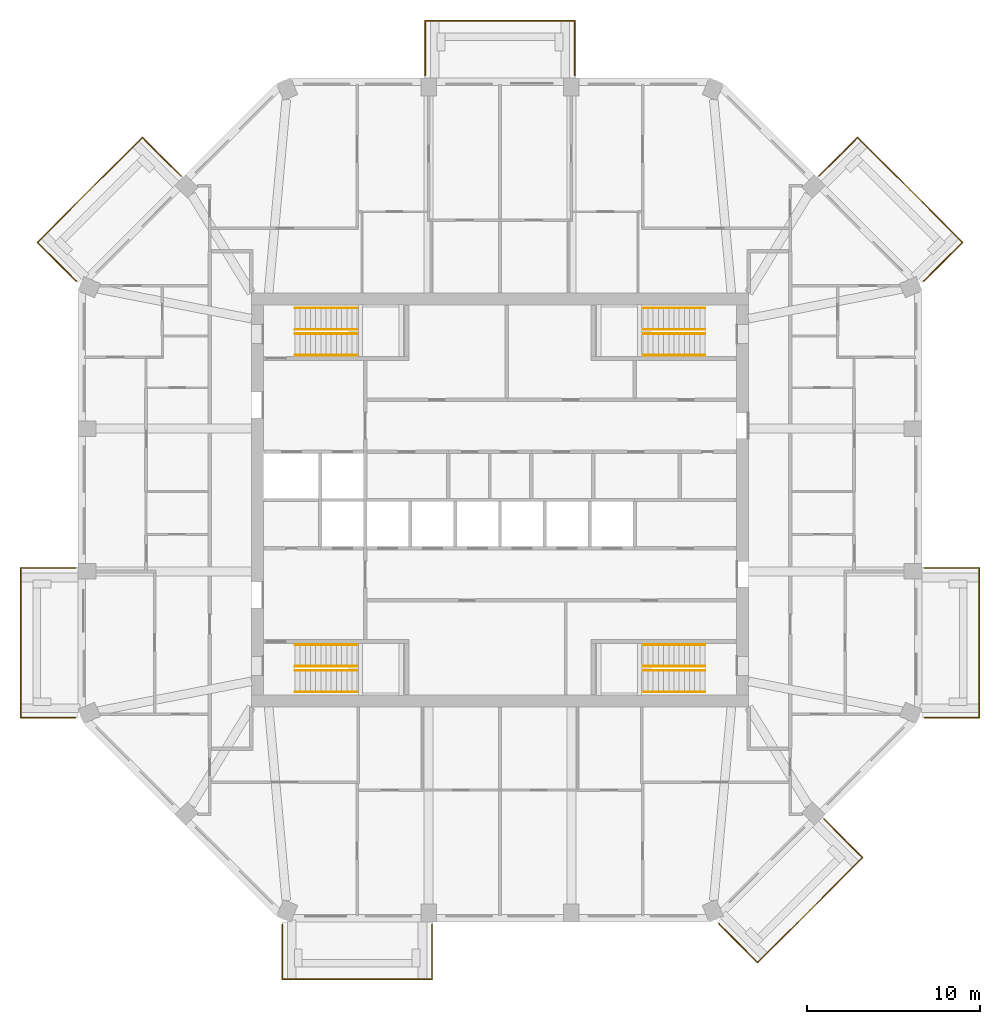
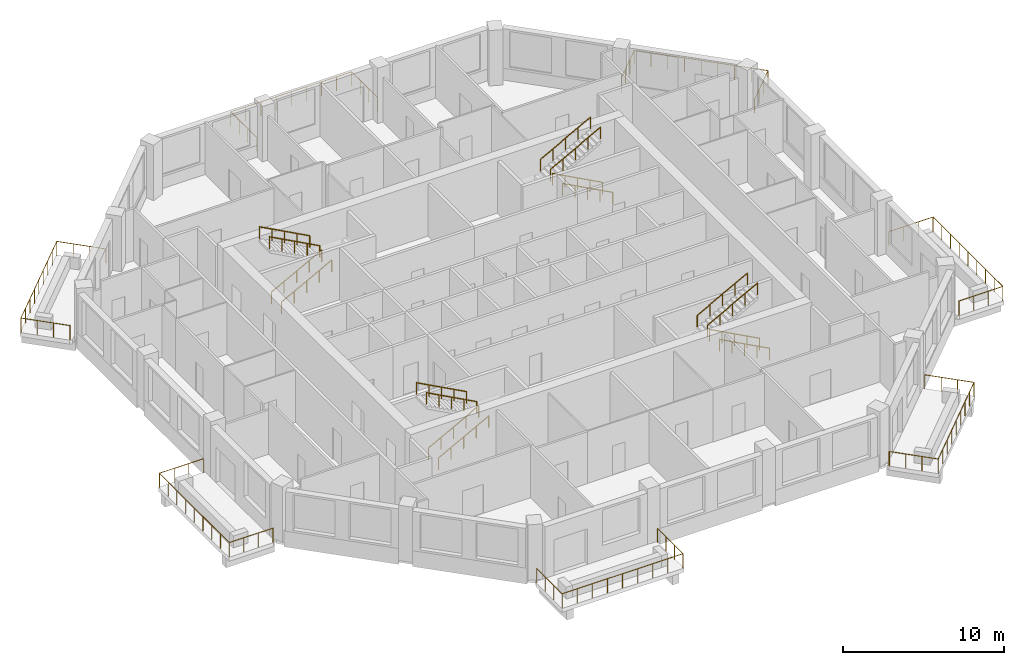
# One storey, part 10 of 10: 23 railings.
"""IFC4 building model written with IfcOpenShell, lengths in metres."""

from ifc_helpers import new_model, si_unit, direction, frame, origin, origin_2d, place, context, subcontext, project, spatial, circle, extrude, material, constituent, constituent_set, type_object, element, save


model = new_model("IFC4")

# Units and contexts
model_context = context("Model", 3, precision=1e-05, world=origin(), true_north=direction((0.0, 1.0)))
body_context = subcontext(model_context, "Body", "Model", "MODEL_VIEW")
ifc_project = project(units=[si_unit("LENGTHUNIT", "METRE"), si_unit("AREAUNIT", "SQUARE_METRE"), si_unit("VOLUMEUNIT", "CUBIC_METRE"), si_unit("PLANEANGLEUNIT", "RADIAN"), si_unit("MASSUNIT", "GRAM", prefix="KILO")], contexts=[model_context])

# Site, building, storey
site_placement = place(None, origin())
site = spatial("IfcSite", under=ifc_project, at=site_placement, CompositionType="ELEMENT")
building_placement = place(site_placement, origin())
building = spatial("IfcBuilding", under=site, at=building_placement, Name="Msitu Wima Residences", CompositionType="ELEMENT")
storey_placement = place(building_placement, frame((0.0, 0.0, 187.5)))
storey = spatial("IfcBuildingStorey", under=building, at=storey_placement, Name="L43", CompositionType="ELEMENT", Elevation=187.5)

# Railings
ifc_material_1 = material(Name="Steel S355", Category="steel")
ifc_constituent_1 = constituent(ifc_material_1, Name="Steel S355")
ifc_material_2 = material(Name="Weathering patina")
ifc_constituent_2 = constituent(ifc_material_2, Name="Weathering patina")
ifc_constituent_set_1 = constituent_set(constituents=[ifc_constituent_1, ifc_constituent_2], Name="Steel S355")
railing_type_1 = type_object("IfcRailingType", Name="Balcony guard GR1100", PredefinedType="GUARDRAIL", material=ifc_constituent_set_1)
railing_1_placement = place(storey_placement, frame((24.580078125, -3.937255859375, 0.0)))
element("IfcRailing", 1, at=railing_1_placement, inside=storey, type_object=railing_type_1, Name="Balcony guard E0 L43", PredefinedType="GUARDRAIL", context=body_context, shape_type="SweptSolid", body=[
    extrude(circle(Radius=0.02392578125, at=origin_2d()), frame((0.0, 0.0, 1.076171875), z_axis=(1.0, 0.0, 0.0), x_axis=(0.0, 1.0, 0.0)), (0.0, 0.0, 1.0), 3.169921875),
    extrude(circle(Radius=0.02392578125, at=origin_2d()), frame((3.169921875, 0.0, 1.076171875), z_axis=(0.0, -1.0, 0.0), x_axis=(1.0, 0.0, 0.0)), (0.0, 0.0, 1.0), 8.674560546875),
    extrude(circle(Radius=0.02392578125, at=origin_2d()), frame((3.169921875, -8.674560546875, 1.076171875), z_axis=(-1.0, 0.0, 0.0), x_axis=(0.0, -1.0, 0.0)), (0.0, 0.0, 1.0), 3.136474609375),
    extrude(circle(Radius=0.02392578125, at=origin_2d()), frame((0.033447265625, -8.674560546875, 1.076171875), z_axis=(-0.923276184907, 0.384136806859, 0.0), x_axis=(-0.384136806859, -0.923276184907, 0.0)), (0.0, 0.0, 1.0), 0.0361328125),
    extrude(circle(Radius=0.02099609375, at=origin_2d()), origin(), (0.0, 0.0, 1.0), 1.052001953125),
    extrude(circle(Radius=0.02099609375, at=origin_2d()), frame((1.056640625, 0.0, 0.0)), (0.0, 0.0, 1.0), 1.052001953125),
    extrude(circle(Radius=0.02099609375, at=origin_2d()), frame((2.11328125, 0.0, 0.0)), (0.0, 0.0, 1.0), 1.052001953125),
    extrude(circle(Radius=0.02099609375, at=origin_2d()), frame((3.169921875, 0.0, 0.0)), (0.0, 0.0, 1.0), 1.052001953125),
    extrude(circle(Radius=0.02099609375, at=origin_2d()), frame((3.169921875, -1.084228515625, 0.0)), (0.0, 0.0, 1.0), 1.052001953125),
    extrude(circle(Radius=0.02099609375, at=origin_2d()), frame((3.169921875, -2.168701171875, 0.0)), (0.0, 0.0, 1.0), 1.052001953125),
    extrude(circle(Radius=0.02099609375, at=origin_2d()), frame((3.169921875, -3.2529296875, 0.0)), (0.0, 0.0, 1.0), 1.052001953125),
    extrude(circle(Radius=0.02099609375, at=origin_2d()), frame((3.169921875, -4.33740234375, 0.0)), (0.0, 0.0, 1.0), 1.052001953125),
    extrude(circle(Radius=0.02099609375, at=origin_2d()), frame((3.169921875, -5.421630859375, 0.0)), (0.0, 0.0, 1.0), 1.052001953125),
    extrude(circle(Radius=0.02099609375, at=origin_2d()), frame((3.169921875, -6.505859375, 0.0)), (0.0, 0.0, 1.0), 1.052001953125),
    extrude(circle(Radius=0.02099609375, at=origin_2d()), frame((3.169921875, -7.59033203125, 0.0)), (0.0, 0.0, 1.0), 1.052001953125),
    extrude(circle(Radius=0.02099609375, at=origin_2d()), frame((3.169921875, -8.674560546875, 0.0)), (0.0, 0.0, 1.0), 1.052001953125),
    extrude(circle(Radius=0.02099609375, at=origin_2d()), frame((2.12451171875, -8.674560546875, 0.0)), (0.0, 0.0, 1.0), 1.052001953125),
    extrude(circle(Radius=0.02099609375, at=origin_2d()), frame((1.078857421875, -8.674560546875, 0.0)), (0.0, 0.0, 1.0), 1.052001953125),
    extrude(circle(Radius=0.02099609375, at=origin_2d()), frame((0.033447265625, -8.674560546875, 0.0)), (0.0, 0.0, 1.0), 1.052001953125),
    extrude(circle(Radius=0.02099609375, at=origin_2d()), frame((0.0, -8.66064453125, 0.0)), (0.0, 0.0, 1.0), 1.052001953125),
])
railing_2_placement = place(storey_placement, frame((18.474609375, 18.75732421875, 0.0)))
element("IfcRailing", 2, at=railing_2_placement, inside=storey, type_object=railing_type_1, Name="Balcony guard NE0 L43", PredefinedType="GUARDRAIL", context=body_context, shape_type="SweptSolid", body=[
    extrude(circle(Radius=0.02392578125, at=origin_2d()), frame((0.0, 0.0, 1.076171875), z_axis=(0.707068272989, 0.707145287287, 0.0), x_axis=(-0.707145287287, 0.707068272989, 0.0)), (0.0, 0.0, 1.0), 3.170166015625),
    extrude(circle(Radius=0.02392578125, at=origin_2d()), frame((2.241455078125, 2.24169921875, 1.076171875), z_axis=(0.707106781187, -0.707106781187, 0.0), x_axis=(0.707106781187, 0.707106781187, 0.0)), (0.0, 0.0, 1.0), 8.593994140625),
    extrude(circle(Radius=0.02392578125, at=origin_2d()), frame((8.318359375, -3.835205078125, 1.076171875), z_axis=(-0.707067861805, -0.707145698426, 0.0), x_axis=(0.707145698426, -0.707067861805, 0.0)), (0.0, 0.0, 1.0), 3.136474609375),
    extrude(circle(Radius=0.02392578125, at=origin_2d()), frame((6.1005859375, -6.05322265625, 1.076171875), z_axis=(-0.923276184907, -0.384136806859, 0.0), x_axis=(0.384136806859, -0.923276184907, 0.0)), (0.0, 0.0, 1.0), 0.0361328125),
    extrude(circle(Radius=0.02099609375, at=origin_2d()), origin(), (0.0, 0.0, 1.0), 1.052001953125),
    extrude(circle(Radius=0.02099609375, at=origin_2d()), frame((0.7470703125, 0.747314453125, 0.0)), (0.0, 0.0, 1.0), 1.052001953125),
    extrude(circle(Radius=0.02099609375, at=origin_2d()), frame((1.494384765625, 1.494384765625, 0.0)), (0.0, 0.0, 1.0), 1.052001953125),
    extrude(circle(Radius=0.02099609375, at=origin_2d()), frame((2.241455078125, 2.24169921875, 0.0)), (0.0, 0.0, 1.0), 1.052001953125),
    extrude(circle(Radius=0.02099609375, at=origin_2d()), frame((3.0009765625, 1.482177734375, 0.0)), (0.0, 0.0, 1.0), 1.052001953125),
    extrude(circle(Radius=0.02099609375, at=origin_2d()), frame((3.7607421875, 0.722412109375, 0.0)), (0.0, 0.0, 1.0), 1.052001953125),
    extrude(circle(Radius=0.02099609375, at=origin_2d()), frame((4.520263671875, -0.037109375, 0.0)), (0.0, 0.0, 1.0), 1.052001953125),
    extrude(circle(Radius=0.02099609375, at=origin_2d()), frame((5.27978515625, -0.796875, 0.0)), (0.0, 0.0, 1.0), 1.052001953125),
    extrude(circle(Radius=0.02099609375, at=origin_2d()), frame((6.03955078125, -1.556396484375, 0.0)), (0.0, 0.0, 1.0), 1.052001953125),
    extrude(circle(Radius=0.02099609375, at=origin_2d()), frame((6.799072265625, -2.31591796875, 0.0)), (0.0, 0.0, 1.0), 1.052001953125),
    extrude(circle(Radius=0.02099609375, at=origin_2d()), frame((7.558837890625, -3.07568359375, 0.0)), (0.0, 0.0, 1.0), 1.052001953125),
    extrude(circle(Radius=0.02099609375, at=origin_2d()), frame((8.318359375, -3.835205078125, 0.0)), (0.0, 0.0, 1.0), 1.052001953125),
    extrude(circle(Radius=0.02099609375, at=origin_2d()), frame((7.5791015625, -4.574462890625, 0.0)), (0.0, 0.0, 1.0), 1.052001953125),
    extrude(circle(Radius=0.02099609375, at=origin_2d()), frame((6.83984375, -5.31396484375, 0.0)), (0.0, 0.0, 1.0), 1.052001953125),
    extrude(circle(Radius=0.02099609375, at=origin_2d()), frame((6.1005859375, -6.05322265625, 0.0)), (0.0, 0.0, 1.0), 1.052001953125),
    extrude(circle(Radius=0.02099609375, at=origin_2d()), frame((6.067138671875, -6.067138671875, 0.0)), (0.0, 0.0, 1.0), 1.052001953125),
])
railing_3_placement = place(storey_placement, frame((-4.337158203125, 24.580078125, 0.0)))
element("IfcRailing", 3, at=railing_3_placement, inside=storey, type_object=railing_type_1, Name="Balcony guard N1 L43", PredefinedType="GUARDRAIL", context=body_context, shape_type="SweptSolid", body=[
    extrude(circle(Radius=0.02392578125, at=origin_2d()), frame((0.0, 0.0, 1.076171875), z_axis=(0.0, 1.0, 0.0), x_axis=(-1.0, 0.0, 0.0)), (0.0, 0.0, 1.0), 3.169921875),
    extrude(circle(Radius=0.02392578125, at=origin_2d()), frame((0.0, 3.169921875, 1.076171875), z_axis=(1.0, 0.0, 0.0), x_axis=(0.0, 1.0, 0.0)), (0.0, 0.0, 1.0), 8.67431640625),
    extrude(circle(Radius=0.02392578125, at=origin_2d()), frame((8.67431640625, 3.169921875, 1.076171875), z_axis=(0.0, -1.0, 0.0), x_axis=(1.0, 0.0, 0.0)), (0.0, 0.0, 1.0), 3.169921875),
    extrude(circle(Radius=0.02099609375, at=origin_2d()), origin(), (0.0, 0.0, 1.0), 1.052001953125),
    extrude(circle(Radius=0.02099609375, at=origin_2d()), frame((0.0, 1.056640625, 0.0)), (0.0, 0.0, 1.0), 1.052001953125),
    extrude(circle(Radius=0.02099609375, at=origin_2d()), frame((0.0, 2.11328125, 0.0)), (0.0, 0.0, 1.0), 1.052001953125),
    extrude(circle(Radius=0.02099609375, at=origin_2d()), frame((0.0, 3.169921875, 0.0)), (0.0, 0.0, 1.0), 1.052001953125),
    extrude(circle(Radius=0.02099609375, at=origin_2d()), frame((1.084228515625, 3.169921875, 0.0)), (0.0, 0.0, 1.0), 1.052001953125),
    extrude(circle(Radius=0.02099609375, at=origin_2d()), frame((2.16845703125, 3.169921875, 0.0)), (0.0, 0.0, 1.0), 1.052001953125),
    extrude(circle(Radius=0.02099609375, at=origin_2d()), frame((3.2529296875, 3.169921875, 0.0)), (0.0, 0.0, 1.0), 1.052001953125),
    extrude(circle(Radius=0.02099609375, at=origin_2d()), frame((4.337158203125, 3.169921875, 0.0)), (0.0, 0.0, 1.0), 1.052001953125),
    extrude(circle(Radius=0.02099609375, at=origin_2d()), frame((5.42138671875, 3.169921875, 0.0)), (0.0, 0.0, 1.0), 1.052001953125),
    extrude(circle(Radius=0.02099609375, at=origin_2d()), frame((6.505859375, 3.169921875, 0.0)), (0.0, 0.0, 1.0), 1.052001953125),
    extrude(circle(Radius=0.02099609375, at=origin_2d()), frame((7.590087890625, 3.169921875, 0.0)), (0.0, 0.0, 1.0), 1.052001953125),
    extrude(circle(Radius=0.02099609375, at=origin_2d()), frame((8.67431640625, 3.169921875, 0.0)), (0.0, 0.0, 1.0), 1.052001953125),
    extrude(circle(Radius=0.02099609375, at=origin_2d()), frame((8.67431640625, 2.11328125, 0.0)), (0.0, 0.0, 1.0), 1.052001953125),
    extrude(circle(Radius=0.02099609375, at=origin_2d()), frame((8.67431640625, 1.056640625, 0.0)), (0.0, 0.0, 1.0), 1.052001953125),
    extrude(circle(Radius=0.02099609375, at=origin_2d()), frame((8.67431640625, 0.0, 0.0)), (0.0, 0.0, 1.0), 1.052001953125),
])
railing_4_placement = place(storey_placement, frame((-24.541748046875, 12.690185546875, 0.0)))
element("IfcRailing", 4, at=railing_4_placement, inside=storey, type_object=railing_type_1, Name="Balcony guard NW1 L43", PredefinedType="GUARDRAIL", context=body_context, shape_type="SweptSolid", body=[
    extrude(circle(Radius=0.02392578125, at=origin_2d()), frame((0.0, 0.0, 1.076171875), z_axis=(-0.923276184907, 0.384136806859, 0.0), x_axis=(-0.384136806859, -0.923276184907, 0.0)), (0.0, 0.0, 1.0), 0.0361328125),
    extrude(circle(Radius=0.02392578125, at=origin_2d()), frame((-0.033447265625, 0.013916015625, 1.076171875), z_axis=(-0.707067861805, 0.707145698426, 0.0), x_axis=(-0.707145698426, -0.707067861805, 0.0)), (0.0, 0.0, 1.0), 3.136474609375),
    extrude(circle(Radius=0.02392578125, at=origin_2d()), frame((-2.251220703125, 2.23193359375, 1.076171875), z_axis=(0.707106781187, 0.707106781187, 0.0), x_axis=(-0.707106781187, 0.707106781187, 0.0)), (0.0, 0.0, 1.0), 8.593994140625),
    extrude(circle(Radius=0.02392578125, at=origin_2d()), frame((3.82568359375, 8.308837890625, 1.076171875), z_axis=(0.707068272989, -0.707145287287, 0.0), x_axis=(0.707145287287, 0.707068272989, 0.0)), (0.0, 0.0, 1.0), 3.170166015625),
    extrude(circle(Radius=0.02099609375, at=origin_2d()), origin(), (0.0, 0.0, 1.0), 1.052001953125),
    extrude(circle(Radius=0.02099609375, at=origin_2d()), frame((-0.033447265625, 0.013916015625, 0.0)), (0.0, 0.0, 1.0), 1.052001953125),
    extrude(circle(Radius=0.02099609375, at=origin_2d()), frame((-0.772705078125, 0.753173828125, 0.0)), (0.0, 0.0, 1.0), 1.052001953125),
    extrude(circle(Radius=0.02099609375, at=origin_2d()), frame((-1.511962890625, 1.49267578125, 0.0)), (0.0, 0.0, 1.0), 1.052001953125),
    extrude(circle(Radius=0.02099609375, at=origin_2d()), frame((-2.251220703125, 2.23193359375, 0.0)), (0.0, 0.0, 1.0), 1.052001953125),
    extrude(circle(Radius=0.02099609375, at=origin_2d()), frame((-1.49169921875, 2.991455078125, 0.0)), (0.0, 0.0, 1.0), 1.052001953125),
    extrude(circle(Radius=0.02099609375, at=origin_2d()), frame((-0.73193359375, 3.751220703125, 0.0)), (0.0, 0.0, 1.0), 1.052001953125),
    extrude(circle(Radius=0.02099609375, at=origin_2d()), frame((0.027587890625, 4.5107421875, 0.0)), (0.0, 0.0, 1.0), 1.052001953125),
    extrude(circle(Radius=0.02099609375, at=origin_2d()), frame((0.787109375, 5.2705078125, 0.0)), (0.0, 0.0, 1.0), 1.052001953125),
    extrude(circle(Radius=0.02099609375, at=origin_2d()), frame((1.546875, 6.030029296875, 0.0)), (0.0, 0.0, 1.0), 1.052001953125),
    extrude(circle(Radius=0.02099609375, at=origin_2d()), frame((2.306396484375, 6.78955078125, 0.0)), (0.0, 0.0, 1.0), 1.052001953125),
    extrude(circle(Radius=0.02099609375, at=origin_2d()), frame((3.066162109375, 7.54931640625, 0.0)), (0.0, 0.0, 1.0), 1.052001953125),
    extrude(circle(Radius=0.02099609375, at=origin_2d()), frame((3.82568359375, 8.308837890625, 0.0)), (0.0, 0.0, 1.0), 1.052001953125),
    extrude(circle(Radius=0.02099609375, at=origin_2d()), frame((4.57275390625, 7.5615234375, 0.0)), (0.0, 0.0, 1.0), 1.052001953125),
    extrude(circle(Radius=0.02099609375, at=origin_2d()), frame((5.320068359375, 6.814453125, 0.0)), (0.0, 0.0, 1.0), 1.052001953125),
    extrude(circle(Radius=0.02099609375, at=origin_2d()), frame((6.067138671875, 6.067138671875, 0.0)), (0.0, 0.0, 1.0), 1.052001953125),
])
railing_5_placement = place(storey_placement, frame((-24.580078125, -12.597900390625, 0.0)))
element("IfcRailing", 5, at=railing_5_placement, inside=storey, type_object=railing_type_1, Name="Balcony guard W2 L43", PredefinedType="GUARDRAIL", context=body_context, shape_type="SweptSolid", body=[
    extrude(circle(Radius=0.02392578125, at=origin_2d()), frame((0.0, 0.0, 1.076171875), z_axis=(-0.923276184907, -0.384136806859, 0.0), x_axis=(0.384136806859, -0.923276184907, 0.0)), (0.0, 0.0, 1.0), 0.0361328125),
    extrude(circle(Radius=0.02392578125, at=origin_2d()), frame((-0.033447265625, -0.013916015625, 1.076171875), z_axis=(-1.0, 0.0, 0.0), x_axis=(0.0, -1.0, 0.0)), (0.0, 0.0, 1.0), 3.136474609375),
    extrude(circle(Radius=0.02392578125, at=origin_2d()), frame((-3.169921875, -0.013916015625, 1.076171875), z_axis=(0.0, 1.0, 0.0), x_axis=(-1.0, 0.0, 0.0)), (0.0, 0.0, 1.0), 8.674560546875),
    extrude(circle(Radius=0.02392578125, at=origin_2d()), frame((-3.169921875, 8.66064453125, 1.076171875), z_axis=(1.0, 0.0, 0.0), x_axis=(0.0, 1.0, 0.0)), (0.0, 0.0, 1.0), 3.169921875),
    extrude(circle(Radius=0.02099609375, at=origin_2d()), origin(), (0.0, 0.0, 1.0), 1.052001953125),
    extrude(circle(Radius=0.02099609375, at=origin_2d()), frame((-0.033447265625, -0.013916015625, 0.0)), (0.0, 0.0, 1.0), 1.052001953125),
    extrude(circle(Radius=0.02099609375, at=origin_2d()), frame((-1.078857421875, -0.013916015625, 0.0)), (0.0, 0.0, 1.0), 1.052001953125),
    extrude(circle(Radius=0.02099609375, at=origin_2d()), frame((-2.12451171875, -0.013916015625, 0.0)), (0.0, 0.0, 1.0), 1.052001953125),
    extrude(circle(Radius=0.02099609375, at=origin_2d()), frame((-3.169921875, -0.013916015625, 0.0)), (0.0, 0.0, 1.0), 1.052001953125),
    extrude(circle(Radius=0.02099609375, at=origin_2d()), frame((-3.169921875, 1.0703125, 0.0)), (0.0, 0.0, 1.0), 1.052001953125),
    extrude(circle(Radius=0.02099609375, at=origin_2d()), frame((-3.169921875, 2.15478515625, 0.0)), (0.0, 0.0, 1.0), 1.052001953125),
    extrude(circle(Radius=0.02099609375, at=origin_2d()), frame((-3.169921875, 3.239013671875, 0.0)), (0.0, 0.0, 1.0), 1.052001953125),
    extrude(circle(Radius=0.02099609375, at=origin_2d()), frame((-3.169921875, 4.3232421875, 0.0)), (0.0, 0.0, 1.0), 1.052001953125),
    extrude(circle(Radius=0.02099609375, at=origin_2d()), frame((-3.169921875, 5.40771484375, 0.0)), (0.0, 0.0, 1.0), 1.052001953125),
    extrude(circle(Radius=0.02099609375, at=origin_2d()), frame((-3.169921875, 6.491943359375, 0.0)), (0.0, 0.0, 1.0), 1.052001953125),
    extrude(circle(Radius=0.02099609375, at=origin_2d()), frame((-3.169921875, 7.576416015625, 0.0)), (0.0, 0.0, 1.0), 1.052001953125),
    extrude(circle(Radius=0.02099609375, at=origin_2d()), frame((-3.169921875, 8.66064453125, 0.0)), (0.0, 0.0, 1.0), 1.052001953125),
    extrude(circle(Radius=0.02099609375, at=origin_2d()), frame((-2.11328125, 8.66064453125, 0.0)), (0.0, 0.0, 1.0), 1.052001953125),
    extrude(circle(Radius=0.02099609375, at=origin_2d()), frame((-1.056640625, 8.66064453125, 0.0)), (0.0, 0.0, 1.0), 1.052001953125),
    extrude(circle(Radius=0.02099609375, at=origin_2d()), frame((0.0, 8.66064453125, 0.0)), (0.0, 0.0, 1.0), 1.052001953125),
])
railing_6_placement = place(storey_placement, frame((-3.937255859375, -24.580078125, 0.0)))
element("IfcRailing", 6, at=railing_6_placement, inside=storey, type_object=railing_type_1, Name="Balcony guard S0 L43", PredefinedType="GUARDRAIL", context=body_context, shape_type="SweptSolid", body=[
    extrude(circle(Radius=0.02392578125, at=origin_2d()), frame((0.0, 0.0, 1.076171875), z_axis=(0.0, -1.0, 0.0), x_axis=(1.0, 0.0, 0.0)), (0.0, 0.0, 1.0), 3.169921875),
    extrude(circle(Radius=0.02392578125, at=origin_2d()), frame((0.0, -3.169921875, 1.076171875), z_axis=(-1.0, 0.0, 0.0), x_axis=(0.0, -1.0, 0.0)), (0.0, 0.0, 1.0), 8.674560546875),
    extrude(circle(Radius=0.02392578125, at=origin_2d()), frame((-8.674560546875, -3.169921875, 1.076171875), z_axis=(0.0, 1.0, 0.0), x_axis=(-1.0, 0.0, 0.0)), (0.0, 0.0, 1.0), 3.136474609375),
    extrude(circle(Radius=0.02392578125, at=origin_2d()), frame((-8.674560546875, -0.033447265625, 1.076171875), z_axis=(0.384136806859, 0.923276184907, 0.0), x_axis=(-0.923276184907, 0.384136806859, 0.0)), (0.0, 0.0, 1.0), 0.0361328125),
    extrude(circle(Radius=0.02099609375, at=origin_2d()), origin(), (0.0, 0.0, 1.0), 1.052001953125),
    extrude(circle(Radius=0.02099609375, at=origin_2d()), frame((0.0, -1.056640625, 0.0)), (0.0, 0.0, 1.0), 1.052001953125),
    extrude(circle(Radius=0.02099609375, at=origin_2d()), frame((0.0, -2.11328125, 0.0)), (0.0, 0.0, 1.0), 1.052001953125),
    extrude(circle(Radius=0.02099609375, at=origin_2d()), frame((0.0, -3.169921875, 0.0)), (0.0, 0.0, 1.0), 1.052001953125),
    extrude(circle(Radius=0.02099609375, at=origin_2d()), frame((-1.084228515625, -3.169921875, 0.0)), (0.0, 0.0, 1.0), 1.052001953125),
    extrude(circle(Radius=0.02099609375, at=origin_2d()), frame((-2.168701171875, -3.169921875, 0.0)), (0.0, 0.0, 1.0), 1.052001953125),
    extrude(circle(Radius=0.02099609375, at=origin_2d()), frame((-3.2529296875, -3.169921875, 0.0)), (0.0, 0.0, 1.0), 1.052001953125),
    extrude(circle(Radius=0.02099609375, at=origin_2d()), frame((-4.33740234375, -3.169921875, 0.0)), (0.0, 0.0, 1.0), 1.052001953125),
    extrude(circle(Radius=0.02099609375, at=origin_2d()), frame((-5.421630859375, -3.169921875, 0.0)), (0.0, 0.0, 1.0), 1.052001953125),
    extrude(circle(Radius=0.02099609375, at=origin_2d()), frame((-6.505859375, -3.169921875, 0.0)), (0.0, 0.0, 1.0), 1.052001953125),
    extrude(circle(Radius=0.02099609375, at=origin_2d()), frame((-7.59033203125, -3.169921875, 0.0)), (0.0, 0.0, 1.0), 1.052001953125),
    extrude(circle(Radius=0.02099609375, at=origin_2d()), frame((-8.674560546875, -3.169921875, 0.0)), (0.0, 0.0, 1.0), 1.052001953125),
    extrude(circle(Radius=0.02099609375, at=origin_2d()), frame((-8.674560546875, -2.12451171875, 0.0)), (0.0, 0.0, 1.0), 1.052001953125),
    extrude(circle(Radius=0.02099609375, at=origin_2d()), frame((-8.674560546875, -1.078857421875, 0.0)), (0.0, 0.0, 1.0), 1.052001953125),
    extrude(circle(Radius=0.02099609375, at=origin_2d()), frame((-8.674560546875, -0.033447265625, 0.0)), (0.0, 0.0, 1.0), 1.052001953125),
    extrude(circle(Radius=0.02099609375, at=origin_2d()), frame((-8.66064453125, 0.0, 0.0)), (0.0, 0.0, 1.0), 1.052001953125),
])
railing_7_placement = place(storey_placement, frame((18.75732421875, -18.474609375, 0.0)))
element("IfcRailing", 7, at=railing_7_placement, inside=storey, type_object=railing_type_1, Name="Balcony guard SE0 L43", PredefinedType="GUARDRAIL", context=body_context, shape_type="SweptSolid", body=[
    extrude(circle(Radius=0.02392578125, at=origin_2d()), frame((0.0, 0.0, 1.076171875), z_axis=(0.707145287287, -0.707068272989, 0.0), x_axis=(0.707068272989, 0.707145287287, 0.0)), (0.0, 0.0, 1.0), 3.170166015625),
    extrude(circle(Radius=0.02392578125, at=origin_2d()), frame((2.24169921875, -2.241455078125, 1.076171875), z_axis=(-0.707106781187, -0.707106781187, 0.0), x_axis=(0.707106781187, -0.707106781187, 0.0)), (0.0, 0.0, 1.0), 8.593994140625),
    extrude(circle(Radius=0.02392578125, at=origin_2d()), frame((-3.835205078125, -8.318359375, 1.076171875), z_axis=(-0.707145698426, 0.707067861805, 0.0), x_axis=(-0.707067861805, -0.707145698426, 0.0)), (0.0, 0.0, 1.0), 3.136474609375),
    extrude(circle(Radius=0.02392578125, at=origin_2d()), frame((-6.05322265625, -6.1005859375, 1.076171875), z_axis=(-0.384136806859, 0.923276184907, 0.0), x_axis=(-0.923276184907, -0.384136806859, 0.0)), (0.0, 0.0, 1.0), 0.0361328125),
    extrude(circle(Radius=0.02099609375, at=origin_2d()), origin(), (0.0, 0.0, 1.0), 1.052001953125),
    extrude(circle(Radius=0.02099609375, at=origin_2d()), frame((0.747314453125, -0.7470703125, 0.0)), (0.0, 0.0, 1.0), 1.052001953125),
    extrude(circle(Radius=0.02099609375, at=origin_2d()), frame((1.494384765625, -1.494384765625, 0.0)), (0.0, 0.0, 1.0), 1.052001953125),
    extrude(circle(Radius=0.02099609375, at=origin_2d()), frame((2.24169921875, -2.241455078125, 0.0)), (0.0, 0.0, 1.0), 1.052001953125),
    extrude(circle(Radius=0.02099609375, at=origin_2d()), frame((1.482177734375, -3.0009765625, 0.0)), (0.0, 0.0, 1.0), 1.052001953125),
    extrude(circle(Radius=0.02099609375, at=origin_2d()), frame((0.722412109375, -3.7607421875, 0.0)), (0.0, 0.0, 1.0), 1.052001953125),
    extrude(circle(Radius=0.02099609375, at=origin_2d()), frame((-0.037109375, -4.520263671875, 0.0)), (0.0, 0.0, 1.0), 1.052001953125),
    extrude(circle(Radius=0.02099609375, at=origin_2d()), frame((-0.796875, -5.27978515625, 0.0)), (0.0, 0.0, 1.0), 1.052001953125),
    extrude(circle(Radius=0.02099609375, at=origin_2d()), frame((-1.556396484375, -6.03955078125, 0.0)), (0.0, 0.0, 1.0), 1.052001953125),
    extrude(circle(Radius=0.02099609375, at=origin_2d()), frame((-2.31591796875, -6.799072265625, 0.0)), (0.0, 0.0, 1.0), 1.052001953125),
    extrude(circle(Radius=0.02099609375, at=origin_2d()), frame((-3.07568359375, -7.558837890625, 0.0)), (0.0, 0.0, 1.0), 1.052001953125),
    extrude(circle(Radius=0.02099609375, at=origin_2d()), frame((-3.835205078125, -8.318359375, 0.0)), (0.0, 0.0, 1.0), 1.052001953125),
    extrude(circle(Radius=0.02099609375, at=origin_2d()), frame((-4.574462890625, -7.5791015625, 0.0)), (0.0, 0.0, 1.0), 1.052001953125),
    extrude(circle(Radius=0.02099609375, at=origin_2d()), frame((-5.31396484375, -6.83984375, 0.0)), (0.0, 0.0, 1.0), 1.052001953125),
    extrude(circle(Radius=0.02099609375, at=origin_2d()), frame((-6.05322265625, -6.1005859375, 0.0)), (0.0, 0.0, 1.0), 1.052001953125),
    extrude(circle(Radius=0.02099609375, at=origin_2d()), frame((-6.067138671875, -6.067138671875, 0.0)), (0.0, 0.0, 1.0), 1.052001953125),
])
ifc_constituent_3 = constituent(ifc_material_1, Name="Steel S355")
ifc_material_3 = material(Name="Black powder coating")
ifc_constituent_4 = constituent(ifc_material_3, Name="Black powder coating")
ifc_constituent_set_2 = constituent_set(constituents=[ifc_constituent_3, ifc_constituent_4], Name="Steel S355")
railing_type_2 = type_object("IfcRailingType", Name="Stair handrail HR1", PredefinedType="HANDRAIL", material=ifc_constituent_set_2)
for number, where, name in (
    (8, (-11.875, 8.375, 0.16162109375), "Stair 1 handrail"),
    (9, (-11.875, 9.625, 0.16162109375), "Stair 1 handrail"),
):
    element("IfcRailing", number, at=place(storey_placement, frame(where)), inside=storey, type_object=railing_type_2, Name=name, PredefinedType="HANDRAIL", context=body_context, shape_type="SweptSolid", body=[
        extrude(circle(Radius=0.02392578125, at=origin_2d()), frame((0.0, 0.0, 0.8759765625), z_axis=(0.880474934443, 0.0, 0.474092701714), x_axis=(0.0, 1.0, 0.0)), (0.0, 0.0, 1.0), 4.0888671875),
        extrude(circle(Radius=0.02099609375, at=origin_2d()), origin(), (0.0, 0.0, 1.0), 0.851806640625),
        extrude(circle(Radius=0.02099609375, at=origin_2d()), frame((0.89990234375, 0.0, 0.484619140625)), (0.0, 0.0, 1.0), 0.851806640625),
        extrude(circle(Radius=0.02099609375, at=origin_2d()), frame((1.800048828125, 0.0, 0.96923828125)), (0.0, 0.0, 1.0), 0.851806640625),
        extrude(circle(Radius=0.02099609375, at=origin_2d()), frame((2.7001953125, 0.0, 1.453857421875)), (0.0, 0.0, 1.0), 0.851806640625),
        extrude(circle(Radius=0.02099609375, at=origin_2d()), frame((3.60009765625, 0.0, 1.9384765625)), (0.0, 0.0, 1.0), 0.851806640625),
    ])
for number, where, name in (
    (10, (-8.27490234375, 9.875, 2.261474609375), "Stair 1 handrail"),
    (11, (-8.27490234375, 11.125, 2.261474609375), "Stair 1 handrail"),
):
    element("IfcRailing", number, at=place(storey_placement, frame(where)), inside=storey, type_object=railing_type_2, Name=name, PredefinedType="HANDRAIL", context=body_context, shape_type="SweptSolid", body=[
        extrude(circle(Radius=0.02392578125, at=origin_2d()), frame((0.0, 0.0, 0.8759765625), z_axis=(-0.880474934443, 0.0, 0.474092701714), x_axis=(0.0, -1.0, 0.0)), (0.0, 0.0, 1.0), 4.0888671875),
        extrude(circle(Radius=0.02099609375, at=origin_2d()), origin(), (0.0, 0.0, 1.0), 0.851806640625),
        extrude(circle(Radius=0.02099609375, at=origin_2d()), frame((-0.89990234375, 0.0, 0.484619140625)), (0.0, 0.0, 1.0), 0.851806640625),
        extrude(circle(Radius=0.02099609375, at=origin_2d()), frame((-1.800048828125, 0.0, 0.96923828125)), (0.0, 0.0, 1.0), 0.851806640625),
        extrude(circle(Radius=0.02099609375, at=origin_2d()), frame((-2.7001953125, 0.0, 1.453857421875)), (0.0, 0.0, 1.0), 0.851806640625),
        extrude(circle(Radius=0.02099609375, at=origin_2d()), frame((-3.60009765625, 0.0, 1.9384765625)), (0.0, 0.0, 1.0), 0.851806640625),
    ])
for number, where, name in (
    (12, (-11.875, -11.125, 0.16162109375), "Stair 2 handrail"),
    (13, (-11.875, -9.875, 0.16162109375), "Stair 2 handrail"),
):
    element("IfcRailing", number, at=place(storey_placement, frame(where)), inside=storey, type_object=railing_type_2, Name=name, PredefinedType="HANDRAIL", context=body_context, shape_type="SweptSolid", body=[
        extrude(circle(Radius=0.02392578125, at=origin_2d()), frame((0.0, 0.0, 0.8759765625), z_axis=(0.880474934443, 0.0, 0.474092701714), x_axis=(0.0, 1.0, 0.0)), (0.0, 0.0, 1.0), 4.0888671875),
        extrude(circle(Radius=0.02099609375, at=origin_2d()), origin(), (0.0, 0.0, 1.0), 0.851806640625),
        extrude(circle(Radius=0.02099609375, at=origin_2d()), frame((0.89990234375, 0.0, 0.484619140625)), (0.0, 0.0, 1.0), 0.851806640625),
        extrude(circle(Radius=0.02099609375, at=origin_2d()), frame((1.800048828125, 0.0, 0.96923828125)), (0.0, 0.0, 1.0), 0.851806640625),
        extrude(circle(Radius=0.02099609375, at=origin_2d()), frame((2.7001953125, 0.0, 1.453857421875)), (0.0, 0.0, 1.0), 0.851806640625),
        extrude(circle(Radius=0.02099609375, at=origin_2d()), frame((3.60009765625, 0.0, 1.9384765625)), (0.0, 0.0, 1.0), 0.851806640625),
    ])
for number, where, name in (
    (14, (-8.27490234375, -9.625, 2.261474609375), "Stair 2 handrail"),
    (15, (-8.27490234375, -8.375, 2.261474609375), "Stair 2 handrail"),
    (16, (11.875, 8.375, 0.16162109375), "Stair 3 handrail"),
    (17, (11.875, 9.625, 0.16162109375), "Stair 3 handrail"),
):
    element("IfcRailing", number, at=place(storey_placement, frame(where)), inside=storey, type_object=railing_type_2, Name=name, PredefinedType="HANDRAIL", context=body_context, shape_type="SweptSolid", body=[
        extrude(circle(Radius=0.02392578125, at=origin_2d()), frame((0.0, 0.0, 0.8759765625), z_axis=(-0.880474934443, 0.0, 0.474092701714), x_axis=(0.0, -1.0, 0.0)), (0.0, 0.0, 1.0), 4.0888671875),
        extrude(circle(Radius=0.02099609375, at=origin_2d()), origin(), (0.0, 0.0, 1.0), 0.851806640625),
        extrude(circle(Radius=0.02099609375, at=origin_2d()), frame((-0.89990234375, 0.0, 0.484619140625)), (0.0, 0.0, 1.0), 0.851806640625),
        extrude(circle(Radius=0.02099609375, at=origin_2d()), frame((-1.800048828125, 0.0, 0.96923828125)), (0.0, 0.0, 1.0), 0.851806640625),
        extrude(circle(Radius=0.02099609375, at=origin_2d()), frame((-2.7001953125, 0.0, 1.453857421875)), (0.0, 0.0, 1.0), 0.851806640625),
        extrude(circle(Radius=0.02099609375, at=origin_2d()), frame((-3.60009765625, 0.0, 1.9384765625)), (0.0, 0.0, 1.0), 0.851806640625),
    ])
for number, where, name in (
    (18, (8.27490234375, 9.875, 2.261474609375), "Stair 3 handrail"),
    (19, (8.27490234375, 11.125, 2.261474609375), "Stair 3 handrail"),
):
    element("IfcRailing", number, at=place(storey_placement, frame(where)), inside=storey, type_object=railing_type_2, Name=name, PredefinedType="HANDRAIL", context=body_context, shape_type="SweptSolid", body=[
        extrude(circle(Radius=0.02392578125, at=origin_2d()), frame((0.0, 0.0, 0.8759765625), z_axis=(0.880474934443, 0.0, 0.474092701714), x_axis=(0.0, 1.0, 0.0)), (0.0, 0.0, 1.0), 4.0888671875),
        extrude(circle(Radius=0.02099609375, at=origin_2d()), origin(), (0.0, 0.0, 1.0), 0.851806640625),
        extrude(circle(Radius=0.02099609375, at=origin_2d()), frame((0.89990234375, 0.0, 0.484619140625)), (0.0, 0.0, 1.0), 0.851806640625),
        extrude(circle(Radius=0.02099609375, at=origin_2d()), frame((1.800048828125, 0.0, 0.96923828125)), (0.0, 0.0, 1.0), 0.851806640625),
        extrude(circle(Radius=0.02099609375, at=origin_2d()), frame((2.7001953125, 0.0, 1.453857421875)), (0.0, 0.0, 1.0), 0.851806640625),
        extrude(circle(Radius=0.02099609375, at=origin_2d()), frame((3.60009765625, 0.0, 1.9384765625)), (0.0, 0.0, 1.0), 0.851806640625),
    ])
for number, where, name in (
    (20, (11.875, -11.125, 0.16162109375), "Stair 4 handrail"),
    (21, (11.875, -9.875, 0.16162109375), "Stair 4 handrail"),
):
    element("IfcRailing", number, at=place(storey_placement, frame(where)), inside=storey, type_object=railing_type_2, Name=name, PredefinedType="HANDRAIL", context=body_context, shape_type="SweptSolid", body=[
        extrude(circle(Radius=0.02392578125, at=origin_2d()), frame((0.0, 0.0, 0.8759765625), z_axis=(-0.880474934443, 0.0, 0.474092701714), x_axis=(0.0, -1.0, 0.0)), (0.0, 0.0, 1.0), 4.0888671875),
        extrude(circle(Radius=0.02099609375, at=origin_2d()), origin(), (0.0, 0.0, 1.0), 0.851806640625),
        extrude(circle(Radius=0.02099609375, at=origin_2d()), frame((-0.89990234375, 0.0, 0.484619140625)), (0.0, 0.0, 1.0), 0.851806640625),
        extrude(circle(Radius=0.02099609375, at=origin_2d()), frame((-1.800048828125, 0.0, 0.96923828125)), (0.0, 0.0, 1.0), 0.851806640625),
        extrude(circle(Radius=0.02099609375, at=origin_2d()), frame((-2.7001953125, 0.0, 1.453857421875)), (0.0, 0.0, 1.0), 0.851806640625),
        extrude(circle(Radius=0.02099609375, at=origin_2d()), frame((-3.60009765625, 0.0, 1.9384765625)), (0.0, 0.0, 1.0), 0.851806640625),
    ])
for number, where, name in (
    (22, (8.27490234375, -9.625, 2.261474609375), "Stair 4 handrail"),
    (23, (8.27490234375, -8.375, 2.261474609375), "Stair 4 handrail"),
):
    element("IfcRailing", number, at=place(storey_placement, frame(where)), inside=storey, type_object=railing_type_2, Name=name, PredefinedType="HANDRAIL", context=body_context, shape_type="SweptSolid", body=[
        extrude(circle(Radius=0.02392578125, at=origin_2d()), frame((0.0, 0.0, 0.8759765625), z_axis=(0.880474934443, 0.0, 0.474092701714), x_axis=(0.0, 1.0, 0.0)), (0.0, 0.0, 1.0), 4.0888671875),
        extrude(circle(Radius=0.02099609375, at=origin_2d()), origin(), (0.0, 0.0, 1.0), 0.851806640625),
        extrude(circle(Radius=0.02099609375, at=origin_2d()), frame((0.89990234375, 0.0, 0.484619140625)), (0.0, 0.0, 1.0), 0.851806640625),
        extrude(circle(Radius=0.02099609375, at=origin_2d()), frame((1.800048828125, 0.0, 0.96923828125)), (0.0, 0.0, 1.0), 0.851806640625),
        extrude(circle(Radius=0.02099609375, at=origin_2d()), frame((2.7001953125, 0.0, 1.453857421875)), (0.0, 0.0, 1.0), 0.851806640625),
        extrude(circle(Radius=0.02099609375, at=origin_2d()), frame((3.60009765625, 0.0, 1.9384765625)), (0.0, 0.0, 1.0), 0.851806640625),
    ])

save(model, "model.ifc")
